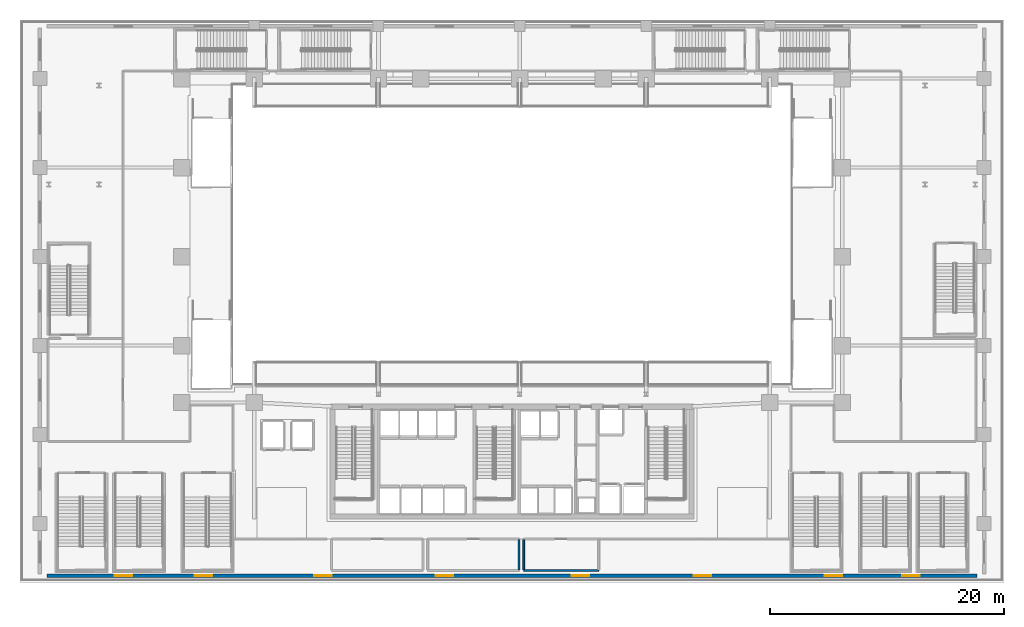
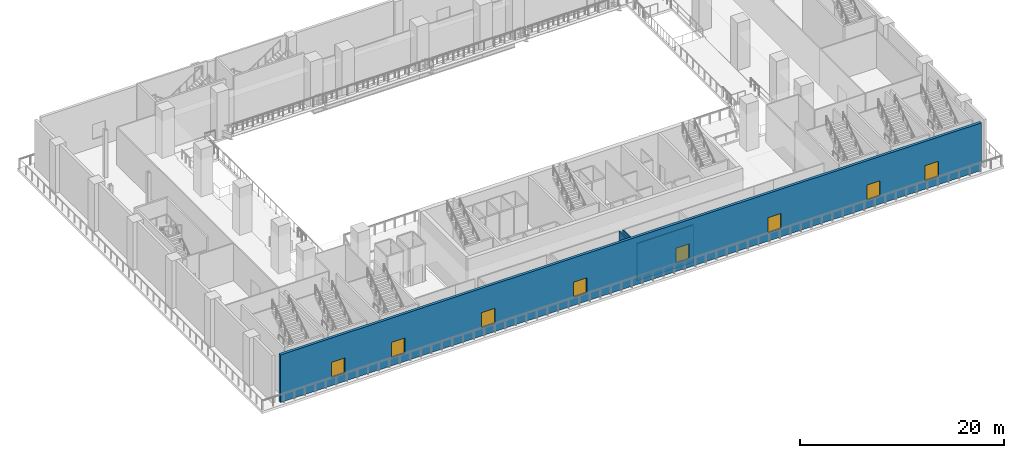
# One storey, part 8 of 28: 8 windows, 4 walls, 8 openings.
"""IFC4 building model written with IfcOpenShell, lengths in metres."""

from ifc_helpers import new_model, si_unit, direction, frame, frame_2d, origin, place, context, subcontext, project, spatial, rectangle, extrude, material, layer, layer_set, type_object, element, fill, save


model = new_model("IFC4")

# Units and contexts
model_context = context("Model", 3, precision=1e-05, world=origin(), true_north=direction((0.0, 1.0)))
body_context = subcontext(model_context, "Body", "Model", "MODEL_VIEW")
ifc_project = project(units=[si_unit("LENGTHUNIT", "METRE"), si_unit("AREAUNIT", "SQUARE_METRE"), si_unit("VOLUMEUNIT", "CUBIC_METRE"), si_unit("PLANEANGLEUNIT", "RADIAN"), si_unit("MASSUNIT", "GRAM", prefix="KILO")], contexts=[model_context])

# Site, building, storey
site_placement = place(None, origin())
site = spatial("IfcSite", under=ifc_project, at=site_placement, CompositionType="ELEMENT")
building_placement = place(site_placement, origin())
building = spatial("IfcBuilding", under=site, at=building_placement, Name="Ndaravel Arena Tower", CompositionType="ELEMENT")
storey_placement = place(building_placement, frame((0.0, 0.0, 18.0)))
storey = spatial("IfcBuildingStorey", under=building, at=storey_placement, Name="L03", CompositionType="ELEMENT", Elevation=18.0)

# Wall, openings, windows
ifc_material_1 = material(Name="Masonry", Category="masonry")
ifc_layer_1 = layer(ifc_material_1, 0.300048828125)
ifc_layer_set_1 = layer_set([ifc_layer_1], Name="Masonry")
wall_type_1 = type_object("IfcWallType", Name="WALL-POD-MAZERAS-300", PredefinedType="SOLIDWALL", material=ifc_layer_set_1)
wall_1_placement = place(storey_placement, frame((2.300048828125, 0.550048828125, 0.0), z_axis=(0.0, 0.0, 1.0), x_axis=(1.0, 0.0, 0.0)))
wall_1 = element("IfcWall", 1, at=wall_1_placement, inside=storey, type_object=wall_type_1, Name="L03 South Mazeras Facade Wall", PredefinedType="SOLIDWALL", context=body_context, shape_type="SweptSolid", body=[
    extrude(rectangle(XDim=79.39990234375, YDim=0.300048828125, at=frame_2d((39.699951171875, 0.0))), origin(), (0.0, 0.0, 1.0), 5.699951171875),
])
opening_1_placement = place(wall_1_placement, frame((5.800048828125, 0.0, 1.0)))
opening_1 = element("IfcOpeningElement", 2, at=opening_1_placement, cuts=wall_1, Name="Opening W-PD3", PredefinedType="OPENING", context=body_context, shape_type="SweptSolid", body=[
    extrude(rectangle(XDim=1.5, YDim=1.800048828125, at=frame_2d((0.75, 0.89990234375))), frame((0.0, 0.14990234375, 0.0), z_axis=(0.0, -1.0, 0.0), x_axis=(1.0, 0.0, 0.0)), (0.0, 0.0, 1.0), 0.300048828125),
])
opening_2_placement = place(wall_1_placement, frame((12.60009765625, 0.0, 1.0)))
opening_2 = element("IfcOpeningElement", 3, at=opening_2_placement, cuts=wall_1, Name="Opening W-PD3", PredefinedType="OPENING", context=body_context, shape_type="SweptSolid", body=[
    extrude(rectangle(XDim=1.5, YDim=1.800048828125, at=frame_2d((0.75, 0.89990234375))), frame((0.0, 0.14990234375, 0.0), z_axis=(0.0, -1.0, 0.0), x_axis=(1.0, 0.0, 0.0)), (0.0, 0.0, 1.0), 0.300048828125),
])
opening_3_placement = place(wall_1_placement, frame((22.800048828125, 0.0, 1.0)))
opening_3 = element("IfcOpeningElement", 4, at=opening_3_placement, cuts=wall_1, Name="Opening W-PD3", PredefinedType="OPENING", context=body_context, shape_type="SweptSolid", body=[
    extrude(rectangle(XDim=1.5, YDim=1.800048828125, at=frame_2d((0.75, 0.89990234375))), frame((0.0, 0.14990234375, 0.0), z_axis=(0.0, -1.0, 0.0), x_axis=(1.0, 0.0, 0.0)), (0.0, 0.0, 1.0), 0.300048828125),
])
opening_4_placement = place(wall_1_placement, frame((33.199951171875, 0.0, 1.0)))
opening_4 = element("IfcOpeningElement", 5, at=opening_4_placement, cuts=wall_1, Name="Opening W-PD3", PredefinedType="OPENING", context=body_context, shape_type="SweptSolid", body=[
    extrude(rectangle(XDim=1.5, YDim=1.800048828125, at=frame_2d((0.75, 0.89990234375))), frame((0.0, 0.14990234375, 0.0), z_axis=(0.0, -1.0, 0.0), x_axis=(1.0, 0.0, 0.0)), (0.0, 0.0, 1.0), 0.300048828125),
])
opening_5_placement = place(wall_1_placement, frame((44.800048828125, 0.0, 1.0)))
opening_5 = element("IfcOpeningElement", 6, at=opening_5_placement, cuts=wall_1, Name="Opening W-PD3", PredefinedType="OPENING", context=body_context, shape_type="SweptSolid", body=[
    extrude(rectangle(XDim=1.5, YDim=1.800048828125, at=frame_2d((0.75, 0.89990234375))), frame((0.0, 0.14990234375, 0.0), z_axis=(0.0, -1.0, 0.0), x_axis=(1.0, 0.0, 0.0)), (0.0, 0.0, 1.0), 0.300048828125),
])
opening_6_placement = place(wall_1_placement, frame((55.199951171875, 0.0, 1.0)))
opening_6 = element("IfcOpeningElement", 7, at=opening_6_placement, cuts=wall_1, Name="Opening W-PD3", PredefinedType="OPENING", context=body_context, shape_type="SweptSolid", body=[
    extrude(rectangle(XDim=1.5, YDim=1.800048828125, at=frame_2d((0.75, 0.89990234375))), frame((0.0, 0.14990234375, 0.0), z_axis=(0.0, -1.0, 0.0), x_axis=(1.0, 0.0, 0.0)), (0.0, 0.0, 1.0), 0.300048828125),
])
opening_7_placement = place(wall_1_placement, frame((66.39990234375, 0.0, 1.0)))
opening_7 = element("IfcOpeningElement", 8, at=opening_7_placement, cuts=wall_1, Name="Opening W-PD3", PredefinedType="OPENING", context=body_context, shape_type="SweptSolid", body=[
    extrude(rectangle(XDim=1.5, YDim=1.800048828125, at=frame_2d((0.75, 0.89990234375))), frame((0.0, 0.14990234375, 0.0), z_axis=(0.0, -1.0, 0.0), x_axis=(1.0, 0.0, 0.0)), (0.0, 0.0, 1.0), 0.300048828125),
])
opening_8_placement = place(wall_1_placement, frame((73.0, 0.0, 1.0)))
opening_8 = element("IfcOpeningElement", 9, at=opening_8_placement, cuts=wall_1, Name="Opening W-PD3", PredefinedType="OPENING", context=body_context, shape_type="SweptSolid", body=[
    extrude(rectangle(XDim=1.5, YDim=1.800048828125, at=frame_2d((0.75, 0.89990234375))), frame((0.0, 0.14990234375, 0.0), z_axis=(0.0, -1.0, 0.0), x_axis=(1.0, 0.0, 0.0)), (0.0, 0.0, 1.0), 0.300048828125),
])
ifc_material_2 = material(Name="Glazing", Category="glass")
window_type = type_object("IfcWindowType", Name="WIN-POD-1500", PartitioningType="SINGLE_PANEL", PredefinedType="WINDOW", material=ifc_material_2)
window_1_placement = place(opening_1_placement, origin())
window_1 = element("IfcWindow", 10, at=window_1_placement, inside=storey, type_object=window_type, Name="L03 South Ribbon Window 01", OverallHeight=1.800048828125, OverallWidth=1.5, PartitioningType="SINGLE_PANEL", PredefinedType="WINDOW", context=body_context, shape_type="SweptSolid", body=[
    extrude(rectangle(XDim=1.5, YDim=1.800048828125, at=frame_2d((0.75, 0.89990234375))), frame((0.0, 0.030029296875, 0.0), z_axis=(0.0, -1.0, 0.0), x_axis=(1.0, 0.0, 0.0)), (0.0, 0.0, 1.0), 0.06005859375),
])
fill(opening_1, window_1)
window_2_placement = place(opening_2_placement, origin())
window_2 = element("IfcWindow", 11, at=window_2_placement, inside=storey, type_object=window_type, Name="L03 South Ribbon Window 02", OverallHeight=1.800048828125, OverallWidth=1.5, PartitioningType="SINGLE_PANEL", PredefinedType="WINDOW", context=body_context, shape_type="SweptSolid", body=[
    extrude(rectangle(XDim=1.5, YDim=1.800048828125, at=frame_2d((0.75, 0.89990234375))), frame((0.0, 0.030029296875, 0.0), z_axis=(0.0, -1.0, 0.0), x_axis=(1.0, 0.0, 0.0)), (0.0, 0.0, 1.0), 0.06005859375),
])
fill(opening_2, window_2)
window_3_placement = place(opening_3_placement, origin())
window_3 = element("IfcWindow", 12, at=window_3_placement, inside=storey, type_object=window_type, Name="L03 South Ribbon Window 03", OverallHeight=1.800048828125, OverallWidth=1.5, PartitioningType="SINGLE_PANEL", PredefinedType="WINDOW", context=body_context, shape_type="SweptSolid", body=[
    extrude(rectangle(XDim=1.5, YDim=1.800048828125, at=frame_2d((0.75, 0.89990234375))), frame((0.0, 0.030029296875, 0.0), z_axis=(0.0, -1.0, 0.0), x_axis=(1.0, 0.0, 0.0)), (0.0, 0.0, 1.0), 0.06005859375),
])
fill(opening_3, window_3)
window_4_placement = place(opening_4_placement, origin())
window_4 = element("IfcWindow", 13, at=window_4_placement, inside=storey, type_object=window_type, Name="L03 South Ribbon Window 04", OverallHeight=1.800048828125, OverallWidth=1.5, PartitioningType="SINGLE_PANEL", PredefinedType="WINDOW", context=body_context, shape_type="SweptSolid", body=[
    extrude(rectangle(XDim=1.5, YDim=1.800048828125, at=frame_2d((0.75, 0.89990234375))), frame((0.0, 0.030029296875, 0.0), z_axis=(0.0, -1.0, 0.0), x_axis=(1.0, 0.0, 0.0)), (0.0, 0.0, 1.0), 0.06005859375),
])
fill(opening_4, window_4)
window_5_placement = place(opening_5_placement, origin())
window_5 = element("IfcWindow", 14, at=window_5_placement, inside=storey, type_object=window_type, Name="L03 South Ribbon Window 05", OverallHeight=1.800048828125, OverallWidth=1.5, PartitioningType="SINGLE_PANEL", PredefinedType="WINDOW", context=body_context, shape_type="SweptSolid", body=[
    extrude(rectangle(XDim=1.5, YDim=1.800048828125, at=frame_2d((0.75, 0.89990234375))), frame((0.0, 0.030029296875, 0.0), z_axis=(0.0, -1.0, 0.0), x_axis=(1.0, 0.0, 0.0)), (0.0, 0.0, 1.0), 0.06005859375),
])
fill(opening_5, window_5)
window_6_placement = place(opening_6_placement, origin())
window_6 = element("IfcWindow", 15, at=window_6_placement, inside=storey, type_object=window_type, Name="L03 South Ribbon Window 06", OverallHeight=1.800048828125, OverallWidth=1.5, PartitioningType="SINGLE_PANEL", PredefinedType="WINDOW", context=body_context, shape_type="SweptSolid", body=[
    extrude(rectangle(XDim=1.5, YDim=1.800048828125, at=frame_2d((0.75, 0.89990234375))), frame((0.0, 0.030029296875, 0.0), z_axis=(0.0, -1.0, 0.0), x_axis=(1.0, 0.0, 0.0)), (0.0, 0.0, 1.0), 0.06005859375),
])
fill(opening_6, window_6)
window_7_placement = place(opening_7_placement, origin())
window_7 = element("IfcWindow", 16, at=window_7_placement, inside=storey, type_object=window_type, Name="L03 South Ribbon Window 07", OverallHeight=1.800048828125, OverallWidth=1.5, PartitioningType="SINGLE_PANEL", PredefinedType="WINDOW", context=body_context, shape_type="SweptSolid", body=[
    extrude(rectangle(XDim=1.5, YDim=1.800048828125, at=frame_2d((0.75, 0.89990234375))), frame((0.0, 0.030029296875, 0.0), z_axis=(0.0, -1.0, 0.0), x_axis=(1.0, 0.0, 0.0)), (0.0, 0.0, 1.0), 0.06005859375),
])
fill(opening_7, window_7)
window_8_placement = place(opening_8_placement, origin())
window_8 = element("IfcWindow", 17, at=window_8_placement, inside=storey, type_object=window_type, Name="L03 South Ribbon Window 08", OverallHeight=1.800048828125, OverallWidth=1.5, PartitioningType="SINGLE_PANEL", PredefinedType="WINDOW", context=body_context, shape_type="SweptSolid", body=[
    extrude(rectangle(XDim=1.5, YDim=1.800048828125, at=frame_2d((0.75, 0.89990234375))), frame((0.0, 0.030029296875, 0.0), z_axis=(0.0, -1.0, 0.0), x_axis=(1.0, 0.0, 0.0)), (0.0, 0.0, 1.0), 0.06005859375),
])
fill(opening_8, window_8)

# Walls
ifc_material_3 = material(Name="Masonry", Category="masonry")
ifc_layer_2 = layer(ifc_material_3, 0.14990234375)
ifc_layer_set_2 = layer_set([ifc_layer_2], Name="Masonry")
wall_type_2 = type_object("IfcWallType", Name="WALL-WET-150", PredefinedType="PARTITIONING", material=ifc_layer_set_2)
wall_2_placement = place(storey_placement, frame((42.60009765625, 3.635009765625, 0.0), z_axis=(0.0, 0.0, 1.0), x_axis=(0.0, -1.0, 0.0)))
element("IfcWall", 18, at=wall_2_placement, inside=storey, type_object=wall_type_2, Name="L03 Interior Partition 038", PredefinedType="PARTITIONING", context=body_context, shape_type="SweptSolid", body=[
    extrude(rectangle(XDim=2.570068359375, YDim=0.14990234375, at=frame_2d((1.28515625, 0.0))), origin(), (0.0, 0.0, 1.0), 4.469970703125),
])
wall_3_placement = place(storey_placement, frame((49.39990234375, 1.0, 0.0), z_axis=(0.0, 0.0, 1.0), x_axis=(-1.0, 0.0, 0.0)))
element("IfcWall", 19, at=wall_3_placement, inside=storey, type_object=wall_type_2, Name="L03 Interior Partition 039", PredefinedType="PARTITIONING", context=body_context, shape_type="SweptSolid", body=[
    extrude(rectangle(XDim=6.39990234375, YDim=0.14990234375, at=frame_2d((3.199951171875, 0.0))), origin(), (0.0, 0.0, 1.0), 4.469970703125),
])
wall_4_placement = place(storey_placement, frame((43.0, 1.06494140625, 0.0), z_axis=(0.0, 0.0, 1.0), x_axis=(0.0, 1.0, 0.0)))
element("IfcWall", 20, at=wall_4_placement, inside=storey, type_object=wall_type_2, Name="L03 Interior Partition 040", PredefinedType="PARTITIONING", context=body_context, shape_type="SweptSolid", body=[
    extrude(rectangle(XDim=2.570068359375, YDim=0.14990234375, at=frame_2d((1.28515625, 0.0))), origin(), (0.0, 0.0, 1.0), 4.469970703125),
])

save(model, "model.ifc")
